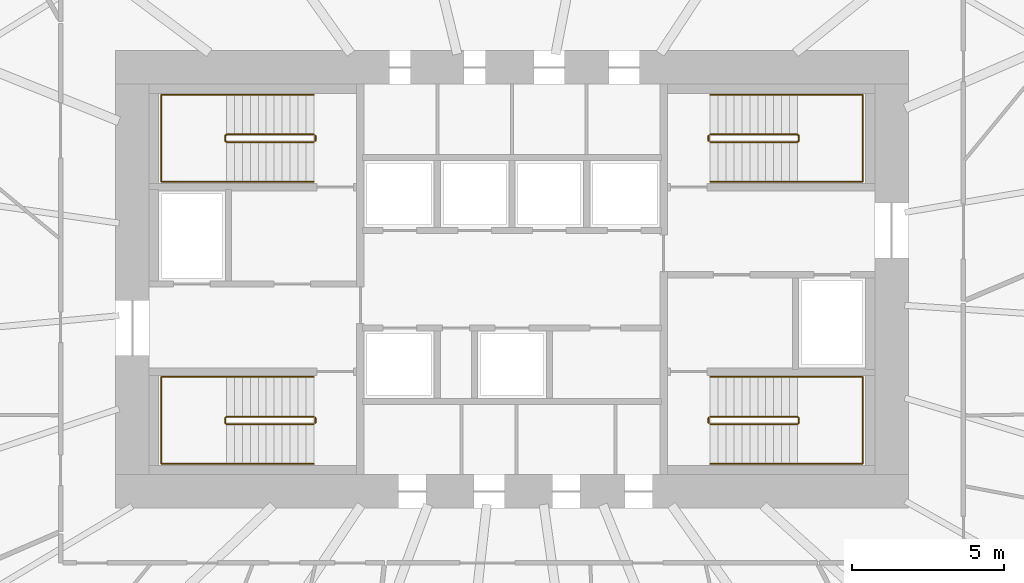
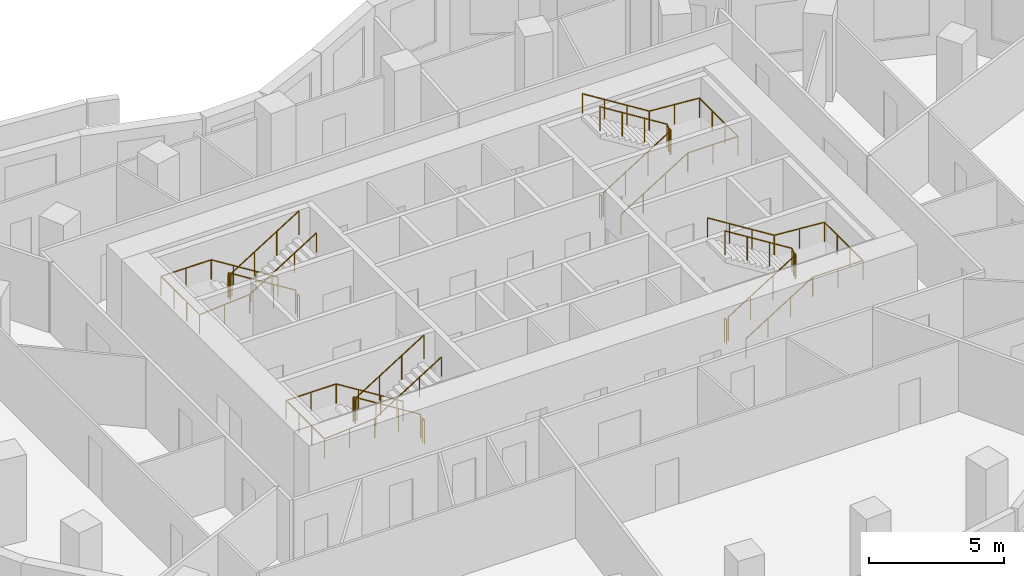
# One storey, part 9 of 9: 12 railings.
"""IFC4 building model written with IfcOpenShell, lengths in metres."""

from ifc_helpers import new_model, si_unit, direction, frame, origin, origin_2d, place, context, subcontext, project, spatial, circle, extrude, material, type_object, element, save


model = new_model("IFC4")

# Units and contexts
model_context = context("Model", 3, precision=1e-05, world=origin(), true_north=direction((0.0, 1.0)))
body_context = subcontext(model_context, "Body", "Model", "MODEL_VIEW")
ifc_project = project(units=[si_unit("LENGTHUNIT", "METRE"), si_unit("AREAUNIT", "SQUARE_METRE"), si_unit("VOLUMEUNIT", "CUBIC_METRE"), si_unit("PLANEANGLEUNIT", "RADIAN"), si_unit("MASSUNIT", "GRAM", prefix="KILO")], contexts=[model_context])

# Site, building, storey
site_placement = place(None, origin())
site = spatial("IfcSite", under=ifc_project, at=site_placement, CompositionType="ELEMENT")
building_placement = place(site_placement, origin())
building = spatial("IfcBuilding", under=site, at=building_placement, Name="Rubra Terraces Tower", CompositionType="ELEMENT")
storey_placement = place(building_placement, frame((0.0, 0.0, 142.199951171875)))
storey = spatial("IfcBuildingStorey", under=building, at=storey_placement, Name="L34", CompositionType="ELEMENT", Elevation=142.199951171875)

# Railings
ifc_material = material(Name="Stainless steel", Category="steel")
railing_type_1 = type_object("IfcRailingType", Name="Core stair guard 1100", PredefinedType="GUARDRAIL", material=ifc_material)
railing_1_placement = place(storey_placement, frame((-6.5, 0.0, 0.16259765625)))
element("IfcRailing", 1, at=railing_1_placement, inside=storey, type_object=railing_type_1, Name="L34 stair S1 guard 1", PredefinedType="GUARDRAIL", context=body_context, shape_type="SweptSolid", body=[
    extrude(circle(Radius=0.02392578125, at=origin_2d()), frame((0.0, 0.0, 1.076171875), z_axis=(-0.848026770018, 0.0, 0.529953391661), x_axis=(0.0, -1.0, 0.0)), (0.0, 0.0, 1.0), 3.37255859375),
    extrude(circle(Radius=0.02392578125, at=origin_2d()), frame((-2.860107421875, 0.0, 2.86328125), z_axis=(-0.705375805398, -0.708833529934, 0.0), x_axis=(0.708833529934, -0.705375805398, 0.0)), (0.0, 0.0, 1.0), 0.070556640625),
    extrude(circle(Radius=0.02392578125, at=origin_2d()), frame((-2.909912109375, -0.050048828125, 2.86328125), z_axis=(0.0, -1.0, 0.0), x_axis=(1.0, 0.0, 0.0)), (0.0, 0.0, 1.0), 0.14990234375),
    extrude(circle(Radius=0.02392578125, at=origin_2d()), frame((-2.909912109375, -0.199951171875, 2.86328125), z_axis=(0.280959487676, -0.282336740067, 0.917250092119), x_axis=(0.708833529934, 0.705375805398, 0.0)), (0.0, 0.0, 1.0), 0.17724609375),
    extrude(circle(Radius=0.02392578125, at=origin_2d()), frame((-2.860107421875, -0.25, 3.02587890625), z_axis=(0.847994237388, 0.0, 0.530005446535), x_axis=(0.0, 1.0, 0.0)), (0.0, 0.0, 1.0), 3.372802734375),
    extrude(circle(Radius=0.02099609375, at=origin_2d()), origin(), (0.0, 0.0, 1.0), 1.052001953125),
    extrude(circle(Radius=0.02099609375, at=origin_2d()), frame((-0.953369140625, 0.0, 0.595703125)), (0.0, 0.0, 1.0), 1.052001953125),
    extrude(circle(Radius=0.02099609375, at=origin_2d()), frame((-1.90673828125, 0.0, 1.191650390625)), (0.0, 0.0, 1.0), 1.052001953125),
    extrude(circle(Radius=0.02099609375, at=origin_2d()), frame((-2.860107421875, 0.0, 1.787353515625)), (0.0, 0.0, 1.0), 1.052001953125),
    extrude(circle(Radius=0.02099609375, at=origin_2d()), frame((-2.909912109375, -0.050048828125, 1.787353515625)), (0.0, 0.0, 1.0), 1.052001953125),
    extrude(circle(Radius=0.02099609375, at=origin_2d()), frame((-2.909912109375, -0.199951171875, 1.787353515625)), (0.0, 0.0, 1.0), 1.052001953125),
    extrude(circle(Radius=0.02099609375, at=origin_2d()), frame((-2.860107421875, -0.25, 1.949951171875)), (0.0, 0.0, 1.0), 1.052001953125),
    extrude(circle(Radius=0.02099609375, at=origin_2d()), frame((-1.90673828125, -0.25, 2.5458984375)), (0.0, 0.0, 1.0), 1.052001953125),
    extrude(circle(Radius=0.02099609375, at=origin_2d()), frame((-0.953369140625, -0.25, 3.1416015625)), (0.0, 0.0, 1.0), 1.052001953125),
    extrude(circle(Radius=0.02099609375, at=origin_2d()), frame((0.0, -0.25, 3.737548828125)), (0.0, 0.0, 1.0), 1.052001953125),
])
railing_2_placement = place(storey_placement, frame((-6.449951171875, -0.050048828125, 0.0)))
element("IfcRailing", 2, at=railing_2_placement, inside=storey, type_object=railing_type_1, Name="L34 stair S1 guard 2", PredefinedType="GUARDRAIL", context=body_context, shape_type="SweptSolid", body=[
    extrude(circle(Radius=0.02392578125, at=origin_2d()), frame((0.0, 0.0, 1.076171875), z_axis=(0.0, -1.0, 0.0), x_axis=(1.0, 0.0, 0.0)), (0.0, 0.0, 1.0), 0.14990234375),
    extrude(circle(Radius=0.02099609375, at=origin_2d()), origin(), (0.0, 0.0, 1.0), 1.052001953125),
    extrude(circle(Radius=0.02099609375, at=origin_2d()), frame((0.0, -0.14990234375, 0.0)), (0.0, 0.0, 1.0), 1.052001953125),
])
railing_3_placement = place(storey_placement, frame((-6.5, 9.25, 0.16259765625)))
element("IfcRailing", 3, at=railing_3_placement, inside=storey, type_object=railing_type_1, Name="L34 stair S2 guard 1", PredefinedType="GUARDRAIL", context=body_context, shape_type="SweptSolid", body=[
    extrude(circle(Radius=0.02392578125, at=origin_2d()), frame((0.0, 0.0, 1.076171875), z_axis=(-0.848026770018, 0.0, 0.529953391661), x_axis=(0.0, -1.0, 0.0)), (0.0, 0.0, 1.0), 3.37255859375),
    extrude(circle(Radius=0.02392578125, at=origin_2d()), frame((-2.860107421875, 0.0, 2.86328125), z_axis=(-0.705375805398, -0.708833529934, 0.0), x_axis=(0.708833529934, -0.705375805398, 0.0)), (0.0, 0.0, 1.0), 0.070556640625),
    extrude(circle(Radius=0.02392578125, at=origin_2d()), frame((-2.909912109375, -0.050048828125, 2.86328125), z_axis=(0.0, -1.0, 0.0), x_axis=(1.0, 0.0, 0.0)), (0.0, 0.0, 1.0), 0.14990234375),
    extrude(circle(Radius=0.02392578125, at=origin_2d()), frame((-2.909912109375, -0.199951171875, 2.86328125), z_axis=(0.280959487676, -0.282336740067, 0.917250092119), x_axis=(0.708833529934, 0.705375805398, 0.0)), (0.0, 0.0, 1.0), 0.17724609375),
    extrude(circle(Radius=0.02392578125, at=origin_2d()), frame((-2.860107421875, -0.25, 3.02587890625), z_axis=(0.847994237388, 0.0, 0.530005446535), x_axis=(0.0, 1.0, 0.0)), (0.0, 0.0, 1.0), 3.372802734375),
    extrude(circle(Radius=0.02099609375, at=origin_2d()), origin(), (0.0, 0.0, 1.0), 1.052001953125),
    extrude(circle(Radius=0.02099609375, at=origin_2d()), frame((-0.953369140625, 0.0, 0.595703125)), (0.0, 0.0, 1.0), 1.052001953125),
    extrude(circle(Radius=0.02099609375, at=origin_2d()), frame((-1.90673828125, 0.0, 1.191650390625)), (0.0, 0.0, 1.0), 1.052001953125),
    extrude(circle(Radius=0.02099609375, at=origin_2d()), frame((-2.860107421875, 0.0, 1.787353515625)), (0.0, 0.0, 1.0), 1.052001953125),
    extrude(circle(Radius=0.02099609375, at=origin_2d()), frame((-2.909912109375, -0.050048828125, 1.787353515625)), (0.0, 0.0, 1.0), 1.052001953125),
    extrude(circle(Radius=0.02099609375, at=origin_2d()), frame((-2.909912109375, -0.199951171875, 1.787353515625)), (0.0, 0.0, 1.0), 1.052001953125),
    extrude(circle(Radius=0.02099609375, at=origin_2d()), frame((-2.860107421875, -0.25, 1.949951171875)), (0.0, 0.0, 1.0), 1.052001953125),
    extrude(circle(Radius=0.02099609375, at=origin_2d()), frame((-1.90673828125, -0.25, 2.5458984375)), (0.0, 0.0, 1.0), 1.052001953125),
    extrude(circle(Radius=0.02099609375, at=origin_2d()), frame((-0.953369140625, -0.25, 3.1416015625)), (0.0, 0.0, 1.0), 1.052001953125),
    extrude(circle(Radius=0.02099609375, at=origin_2d()), frame((0.0, -0.25, 3.737548828125)), (0.0, 0.0, 1.0), 1.052001953125),
])
railing_4_placement = place(storey_placement, frame((-6.449951171875, 9.199951171875, 0.0)))
element("IfcRailing", 4, at=railing_4_placement, inside=storey, type_object=railing_type_1, Name="L34 stair S2 guard 2", PredefinedType="GUARDRAIL", context=body_context, shape_type="SweptSolid", body=[
    extrude(circle(Radius=0.02392578125, at=origin_2d()), frame((0.0, 0.0, 1.076171875), z_axis=(0.0, -1.0, 0.0), x_axis=(1.0, 0.0, 0.0)), (0.0, 0.0, 1.0), 0.14990234375),
    extrude(circle(Radius=0.02099609375, at=origin_2d()), origin(), (0.0, 0.0, 1.0), 1.052001953125),
    extrude(circle(Radius=0.02099609375, at=origin_2d()), frame((0.0, -0.14990234375, 0.0)), (0.0, 0.0, 1.0), 1.052001953125),
])
railing_5_placement = place(storey_placement, frame((6.5, 9.0, 0.16259765625)))
element("IfcRailing", 5, at=railing_5_placement, inside=storey, type_object=railing_type_1, Name="L34 stair S3 guard 1", PredefinedType="GUARDRAIL", context=body_context, shape_type="SweptSolid", body=[
    extrude(circle(Radius=0.02392578125, at=origin_2d()), frame((0.0, 0.0, 1.076171875), z_axis=(0.848026770018, 0.0, 0.529953391661), x_axis=(0.0, 1.0, 0.0)), (0.0, 0.0, 1.0), 3.37255859375),
    extrude(circle(Radius=0.02392578125, at=origin_2d()), frame((2.860107421875, 0.0, 2.86328125), z_axis=(0.705375805398, 0.708833529934, 0.0), x_axis=(-0.708833529934, 0.705375805398, 0.0)), (0.0, 0.0, 1.0), 0.070556640625),
    extrude(circle(Radius=0.02392578125, at=origin_2d()), frame((2.909912109375, 0.050048828125, 2.86328125), z_axis=(0.0, 1.0, 0.0), x_axis=(-1.0, 0.0, 0.0)), (0.0, 0.0, 1.0), 0.14990234375),
    extrude(circle(Radius=0.02392578125, at=origin_2d()), frame((2.909912109375, 0.199951171875, 2.86328125), z_axis=(-0.280959487676, 0.282336740067, 0.917250092119), x_axis=(-0.708833529934, -0.705375805398, 0.0)), (0.0, 0.0, 1.0), 0.17724609375),
    extrude(circle(Radius=0.02392578125, at=origin_2d()), frame((2.860107421875, 0.25, 3.02587890625), z_axis=(-0.847994237388, 0.0, 0.530005446535), x_axis=(0.0, -1.0, 0.0)), (0.0, 0.0, 1.0), 3.372802734375),
    extrude(circle(Radius=0.02099609375, at=origin_2d()), origin(), (0.0, 0.0, 1.0), 1.052001953125),
    extrude(circle(Radius=0.02099609375, at=origin_2d()), frame((0.953369140625, 0.0, 0.595703125)), (0.0, 0.0, 1.0), 1.052001953125),
    extrude(circle(Radius=0.02099609375, at=origin_2d()), frame((1.90673828125, 0.0, 1.191650390625)), (0.0, 0.0, 1.0), 1.052001953125),
    extrude(circle(Radius=0.02099609375, at=origin_2d()), frame((2.860107421875, 0.0, 1.787353515625)), (0.0, 0.0, 1.0), 1.052001953125),
    extrude(circle(Radius=0.02099609375, at=origin_2d()), frame((2.909912109375, 0.050048828125, 1.787353515625)), (0.0, 0.0, 1.0), 1.052001953125),
    extrude(circle(Radius=0.02099609375, at=origin_2d()), frame((2.909912109375, 0.199951171875, 1.787353515625)), (0.0, 0.0, 1.0), 1.052001953125),
    extrude(circle(Radius=0.02099609375, at=origin_2d()), frame((2.860107421875, 0.25, 1.949951171875)), (0.0, 0.0, 1.0), 1.052001953125),
    extrude(circle(Radius=0.02099609375, at=origin_2d()), frame((1.90673828125, 0.25, 2.5458984375)), (0.0, 0.0, 1.0), 1.052001953125),
    extrude(circle(Radius=0.02099609375, at=origin_2d()), frame((0.953369140625, 0.25, 3.1416015625)), (0.0, 0.0, 1.0), 1.052001953125),
    extrude(circle(Radius=0.02099609375, at=origin_2d()), frame((0.0, 0.25, 3.737548828125)), (0.0, 0.0, 1.0), 1.052001953125),
])
railing_6_placement = place(storey_placement, frame((6.449951171875, 9.050048828125, 0.0)))
element("IfcRailing", 6, at=railing_6_placement, inside=storey, type_object=railing_type_1, Name="L34 stair S3 guard 2", PredefinedType="GUARDRAIL", context=body_context, shape_type="SweptSolid", body=[
    extrude(circle(Radius=0.02392578125, at=origin_2d()), frame((0.0, 0.0, 1.076171875), z_axis=(0.0, 1.0, 0.0), x_axis=(-1.0, 0.0, 0.0)), (0.0, 0.0, 1.0), 0.14990234375),
    extrude(circle(Radius=0.02099609375, at=origin_2d()), origin(), (0.0, 0.0, 1.0), 1.052001953125),
    extrude(circle(Radius=0.02099609375, at=origin_2d()), frame((0.0, 0.14990234375, 0.0)), (0.0, 0.0, 1.0), 1.052001953125),
])
railing_7_placement = place(storey_placement, frame((6.5, -0.25, 0.16259765625)))
element("IfcRailing", 7, at=railing_7_placement, inside=storey, type_object=railing_type_1, Name="L34 stair S4 guard 1", PredefinedType="GUARDRAIL", context=body_context, shape_type="SweptSolid", body=[
    extrude(circle(Radius=0.02392578125, at=origin_2d()), frame((0.0, 0.0, 1.076171875), z_axis=(0.848026770018, 0.0, 0.529953391661), x_axis=(0.0, 1.0, 0.0)), (0.0, 0.0, 1.0), 3.37255859375),
    extrude(circle(Radius=0.02392578125, at=origin_2d()), frame((2.860107421875, 0.0, 2.86328125), z_axis=(0.705375805398, 0.708833529934, 0.0), x_axis=(-0.708833529934, 0.705375805398, 0.0)), (0.0, 0.0, 1.0), 0.070556640625),
    extrude(circle(Radius=0.02392578125, at=origin_2d()), frame((2.909912109375, 0.050048828125, 2.86328125), z_axis=(0.0, 1.0, 0.0), x_axis=(-1.0, 0.0, 0.0)), (0.0, 0.0, 1.0), 0.14990234375),
    extrude(circle(Radius=0.02392578125, at=origin_2d()), frame((2.909912109375, 0.199951171875, 2.86328125), z_axis=(-0.280959487676, 0.282336740067, 0.917250092119), x_axis=(-0.708833529934, -0.705375805398, 0.0)), (0.0, 0.0, 1.0), 0.17724609375),
    extrude(circle(Radius=0.02392578125, at=origin_2d()), frame((2.860107421875, 0.25, 3.02587890625), z_axis=(-0.847994237388, 0.0, 0.530005446535), x_axis=(0.0, -1.0, 0.0)), (0.0, 0.0, 1.0), 3.372802734375),
    extrude(circle(Radius=0.02099609375, at=origin_2d()), origin(), (0.0, 0.0, 1.0), 1.052001953125),
    extrude(circle(Radius=0.02099609375, at=origin_2d()), frame((0.953369140625, 0.0, 0.595703125)), (0.0, 0.0, 1.0), 1.052001953125),
    extrude(circle(Radius=0.02099609375, at=origin_2d()), frame((1.90673828125, 0.0, 1.191650390625)), (0.0, 0.0, 1.0), 1.052001953125),
    extrude(circle(Radius=0.02099609375, at=origin_2d()), frame((2.860107421875, 0.0, 1.787353515625)), (0.0, 0.0, 1.0), 1.052001953125),
    extrude(circle(Radius=0.02099609375, at=origin_2d()), frame((2.909912109375, 0.050048828125, 1.787353515625)), (0.0, 0.0, 1.0), 1.052001953125),
    extrude(circle(Radius=0.02099609375, at=origin_2d()), frame((2.909912109375, 0.199951171875, 1.787353515625)), (0.0, 0.0, 1.0), 1.052001953125),
    extrude(circle(Radius=0.02099609375, at=origin_2d()), frame((2.860107421875, 0.25, 1.949951171875)), (0.0, 0.0, 1.0), 1.052001953125),
    extrude(circle(Radius=0.02099609375, at=origin_2d()), frame((1.90673828125, 0.25, 2.5458984375)), (0.0, 0.0, 1.0), 1.052001953125),
    extrude(circle(Radius=0.02099609375, at=origin_2d()), frame((0.953369140625, 0.25, 3.1416015625)), (0.0, 0.0, 1.0), 1.052001953125),
    extrude(circle(Radius=0.02099609375, at=origin_2d()), frame((0.0, 0.25, 3.737548828125)), (0.0, 0.0, 1.0), 1.052001953125),
])
railing_8_placement = place(storey_placement, frame((6.449951171875, -0.199951171875, 0.0)))
element("IfcRailing", 8, at=railing_8_placement, inside=storey, type_object=railing_type_1, Name="L34 stair S4 guard 2", PredefinedType="GUARDRAIL", context=body_context, shape_type="SweptSolid", body=[
    extrude(circle(Radius=0.02392578125, at=origin_2d()), frame((0.0, 0.0, 1.076171875), z_axis=(0.0, 1.0, 0.0), x_axis=(-1.0, 0.0, 0.0)), (0.0, 0.0, 1.0), 0.14990234375),
    extrude(circle(Radius=0.02099609375, at=origin_2d()), origin(), (0.0, 0.0, 1.0), 1.052001953125),
    extrude(circle(Radius=0.02099609375, at=origin_2d()), frame((0.0, 0.14990234375, 0.0)), (0.0, 0.0, 1.0), 1.052001953125),
])
railing_type_2 = type_object("IfcRailingType", Name="Core stair handrail 900", PredefinedType="HANDRAIL", material=ifc_material)
railing_9_placement = place(storey_placement, frame((-6.5, 1.300048828125, 0.16259765625)))
element("IfcRailing", 9, at=railing_9_placement, inside=storey, type_object=railing_type_2, Name="L34 stair S1 handrail 1", PredefinedType="HANDRAIL", context=body_context, shape_type="SweptSolid", body=[
    extrude(circle(Radius=0.02392578125, at=origin_2d()), frame((0.0, 0.0, 0.8759765625), z_axis=(-0.848026770018, 0.0, 0.529953391661), x_axis=(0.0, -1.0, 0.0)), (0.0, 0.0, 1.0), 3.37255859375),
    extrude(circle(Radius=0.02392578125, at=origin_2d()), frame((-2.860107421875, 0.0, 2.6630859375), z_axis=(-1.0, 0.0, 0.0), x_axis=(0.0, -1.0, 0.0)), (0.0, 0.0, 1.0), 2.139892578125),
    extrude(circle(Radius=0.02392578125, at=origin_2d()), frame((-5.0, 0.0, 2.6630859375), z_axis=(0.0, -1.0, 0.0), x_axis=(1.0, 0.0, 0.0)), (0.0, 0.0, 1.0), 2.85009765625),
    extrude(circle(Radius=0.02392578125, at=origin_2d()), frame((-5.0, -2.85009765625, 2.6630859375), z_axis=(0.997125654253, 0.0, 0.075765623016), x_axis=(0.0, 1.0, 0.0)), (0.0, 0.0, 1.0), 2.14599609375),
    extrude(circle(Radius=0.02392578125, at=origin_2d()), frame((-2.860107421875, -2.85009765625, 2.82568359375), z_axis=(0.847994237388, 0.0, 0.530005446535), x_axis=(0.0, 1.0, 0.0)), (0.0, 0.0, 1.0), 3.372802734375),
    extrude(circle(Radius=0.02099609375, at=origin_2d()), origin(), (0.0, 0.0, 1.0), 0.851806640625),
    extrude(circle(Radius=0.02099609375, at=origin_2d()), frame((-0.953369140625, 0.0, 0.595703125)), (0.0, 0.0, 1.0), 0.851806640625),
    extrude(circle(Radius=0.02099609375, at=origin_2d()), frame((-1.90673828125, 0.0, 1.191650390625)), (0.0, 0.0, 1.0), 0.851806640625),
    extrude(circle(Radius=0.02099609375, at=origin_2d()), frame((-2.860107421875, 0.0, 1.787353515625)), (0.0, 0.0, 1.0), 0.851806640625),
    extrude(circle(Radius=0.02099609375, at=origin_2d()), frame((-3.93017578125, 0.0, 1.787353515625)), (0.0, 0.0, 1.0), 0.851806640625),
    extrude(circle(Radius=0.02099609375, at=origin_2d()), frame((-5.0, 0.0, 1.787353515625)), (0.0, 0.0, 1.0), 0.851806640625),
    extrude(circle(Radius=0.02099609375, at=origin_2d()), frame((-5.0, -0.949951171875, 1.787353515625)), (0.0, 0.0, 1.0), 0.851806640625),
    extrude(circle(Radius=0.02099609375, at=origin_2d()), frame((-5.0, -1.900146484375, 1.787353515625)), (0.0, 0.0, 1.0), 0.851806640625),
    extrude(circle(Radius=0.02099609375, at=origin_2d()), frame((-5.0, -2.85009765625, 1.787353515625)), (0.0, 0.0, 1.0), 0.851806640625),
    extrude(circle(Radius=0.02099609375, at=origin_2d()), frame((-3.93017578125, -2.85009765625, 1.86865234375)), (0.0, 0.0, 1.0), 0.851806640625),
    extrude(circle(Radius=0.02099609375, at=origin_2d()), frame((-2.860107421875, -2.85009765625, 1.949951171875)), (0.0, 0.0, 1.0), 0.851806640625),
    extrude(circle(Radius=0.02099609375, at=origin_2d()), frame((-1.90673828125, -2.85009765625, 2.5458984375)), (0.0, 0.0, 1.0), 0.851806640625),
    extrude(circle(Radius=0.02099609375, at=origin_2d()), frame((-0.953369140625, -2.85009765625, 3.1416015625)), (0.0, 0.0, 1.0), 0.851806640625),
    extrude(circle(Radius=0.02099609375, at=origin_2d()), frame((0.0, -2.85009765625, 3.737548828125)), (0.0, 0.0, 1.0), 0.851806640625),
])
railing_10_placement = place(storey_placement, frame((-6.5, 10.550048828125, 0.16259765625)))
element("IfcRailing", 10, at=railing_10_placement, inside=storey, type_object=railing_type_2, Name="L34 stair S2 handrail 1", PredefinedType="HANDRAIL", context=body_context, shape_type="SweptSolid", body=[
    extrude(circle(Radius=0.02392578125, at=origin_2d()), frame((0.0, 0.0, 0.8759765625), z_axis=(-0.848026770018, 0.0, 0.529953391661), x_axis=(0.0, -1.0, 0.0)), (0.0, 0.0, 1.0), 3.37255859375),
    extrude(circle(Radius=0.02392578125, at=origin_2d()), frame((-2.860107421875, 0.0, 2.6630859375), z_axis=(-1.0, 0.0, 0.0), x_axis=(0.0, -1.0, 0.0)), (0.0, 0.0, 1.0), 2.139892578125),
    extrude(circle(Radius=0.02392578125, at=origin_2d()), frame((-5.0, 0.0, 2.6630859375), z_axis=(0.0, -1.0, 0.0), x_axis=(1.0, 0.0, 0.0)), (0.0, 0.0, 1.0), 2.85009765625),
    extrude(circle(Radius=0.02392578125, at=origin_2d()), frame((-5.0, -2.85009765625, 2.6630859375), z_axis=(0.997125654253, 0.0, 0.075765623016), x_axis=(0.0, 1.0, 0.0)), (0.0, 0.0, 1.0), 2.14599609375),
    extrude(circle(Radius=0.02392578125, at=origin_2d()), frame((-2.860107421875, -2.85009765625, 2.82568359375), z_axis=(0.847994237388, 0.0, 0.530005446535), x_axis=(0.0, 1.0, 0.0)), (0.0, 0.0, 1.0), 3.372802734375),
    extrude(circle(Radius=0.02099609375, at=origin_2d()), origin(), (0.0, 0.0, 1.0), 0.851806640625),
    extrude(circle(Radius=0.02099609375, at=origin_2d()), frame((-0.953369140625, 0.0, 0.595703125)), (0.0, 0.0, 1.0), 0.851806640625),
    extrude(circle(Radius=0.02099609375, at=origin_2d()), frame((-1.90673828125, 0.0, 1.191650390625)), (0.0, 0.0, 1.0), 0.851806640625),
    extrude(circle(Radius=0.02099609375, at=origin_2d()), frame((-2.860107421875, 0.0, 1.787353515625)), (0.0, 0.0, 1.0), 0.851806640625),
    extrude(circle(Radius=0.02099609375, at=origin_2d()), frame((-3.93017578125, 0.0, 1.787353515625)), (0.0, 0.0, 1.0), 0.851806640625),
    extrude(circle(Radius=0.02099609375, at=origin_2d()), frame((-5.0, 0.0, 1.787353515625)), (0.0, 0.0, 1.0), 0.851806640625),
    extrude(circle(Radius=0.02099609375, at=origin_2d()), frame((-5.0, -0.949951171875, 1.787353515625)), (0.0, 0.0, 1.0), 0.851806640625),
    extrude(circle(Radius=0.02099609375, at=origin_2d()), frame((-5.0, -1.900146484375, 1.787353515625)), (0.0, 0.0, 1.0), 0.851806640625),
    extrude(circle(Radius=0.02099609375, at=origin_2d()), frame((-5.0, -2.85009765625, 1.787353515625)), (0.0, 0.0, 1.0), 0.851806640625),
    extrude(circle(Radius=0.02099609375, at=origin_2d()), frame((-3.93017578125, -2.85009765625, 1.86865234375)), (0.0, 0.0, 1.0), 0.851806640625),
    extrude(circle(Radius=0.02099609375, at=origin_2d()), frame((-2.860107421875, -2.85009765625, 1.949951171875)), (0.0, 0.0, 1.0), 0.851806640625),
    extrude(circle(Radius=0.02099609375, at=origin_2d()), frame((-1.90673828125, -2.85009765625, 2.5458984375)), (0.0, 0.0, 1.0), 0.851806640625),
    extrude(circle(Radius=0.02099609375, at=origin_2d()), frame((-0.953369140625, -2.85009765625, 3.1416015625)), (0.0, 0.0, 1.0), 0.851806640625),
    extrude(circle(Radius=0.02099609375, at=origin_2d()), frame((0.0, -2.85009765625, 3.737548828125)), (0.0, 0.0, 1.0), 0.851806640625),
])
railing_11_placement = place(storey_placement, frame((6.5, 7.699951171875, 0.16259765625)))
element("IfcRailing", 11, at=railing_11_placement, inside=storey, type_object=railing_type_2, Name="L34 stair S3 handrail 1", PredefinedType="HANDRAIL", context=body_context, shape_type="SweptSolid", body=[
    extrude(circle(Radius=0.02392578125, at=origin_2d()), frame((0.0, 0.0, 0.8759765625), z_axis=(0.848026770018, 0.0, 0.529953391661), x_axis=(0.0, 1.0, 0.0)), (0.0, 0.0, 1.0), 3.37255859375),
    extrude(circle(Radius=0.02392578125, at=origin_2d()), frame((2.860107421875, 0.0, 2.6630859375), z_axis=(1.0, 0.0, 0.0), x_axis=(0.0, 1.0, 0.0)), (0.0, 0.0, 1.0), 2.139892578125),
    extrude(circle(Radius=0.02392578125, at=origin_2d()), frame((5.0, 0.0, 2.6630859375), z_axis=(0.0, 1.0, 0.0), x_axis=(-1.0, 0.0, 0.0)), (0.0, 0.0, 1.0), 2.85009765625),
    extrude(circle(Radius=0.02392578125, at=origin_2d()), frame((5.0, 2.85009765625, 2.6630859375), z_axis=(-0.997125654253, 0.0, 0.075765623016), x_axis=(0.0, -1.0, 0.0)), (0.0, 0.0, 1.0), 2.14599609375),
    extrude(circle(Radius=0.02392578125, at=origin_2d()), frame((2.860107421875, 2.85009765625, 2.82568359375), z_axis=(-0.847994237388, 0.0, 0.530005446535), x_axis=(0.0, -1.0, 0.0)), (0.0, 0.0, 1.0), 3.372802734375),
    extrude(circle(Radius=0.02099609375, at=origin_2d()), origin(), (0.0, 0.0, 1.0), 0.851806640625),
    extrude(circle(Radius=0.02099609375, at=origin_2d()), frame((0.953369140625, 0.0, 0.595703125)), (0.0, 0.0, 1.0), 0.851806640625),
    extrude(circle(Radius=0.02099609375, at=origin_2d()), frame((1.90673828125, 0.0, 1.191650390625)), (0.0, 0.0, 1.0), 0.851806640625),
    extrude(circle(Radius=0.02099609375, at=origin_2d()), frame((2.860107421875, 0.0, 1.787353515625)), (0.0, 0.0, 1.0), 0.851806640625),
    extrude(circle(Radius=0.02099609375, at=origin_2d()), frame((3.93017578125, 0.0, 1.787353515625)), (0.0, 0.0, 1.0), 0.851806640625),
    extrude(circle(Radius=0.02099609375, at=origin_2d()), frame((5.0, 0.0, 1.787353515625)), (0.0, 0.0, 1.0), 0.851806640625),
    extrude(circle(Radius=0.02099609375, at=origin_2d()), frame((5.0, 0.949951171875, 1.787353515625)), (0.0, 0.0, 1.0), 0.851806640625),
    extrude(circle(Radius=0.02099609375, at=origin_2d()), frame((5.0, 1.900146484375, 1.787353515625)), (0.0, 0.0, 1.0), 0.851806640625),
    extrude(circle(Radius=0.02099609375, at=origin_2d()), frame((5.0, 2.85009765625, 1.787353515625)), (0.0, 0.0, 1.0), 0.851806640625),
    extrude(circle(Radius=0.02099609375, at=origin_2d()), frame((3.93017578125, 2.85009765625, 1.86865234375)), (0.0, 0.0, 1.0), 0.851806640625),
    extrude(circle(Radius=0.02099609375, at=origin_2d()), frame((2.860107421875, 2.85009765625, 1.949951171875)), (0.0, 0.0, 1.0), 0.851806640625),
    extrude(circle(Radius=0.02099609375, at=origin_2d()), frame((1.90673828125, 2.85009765625, 2.5458984375)), (0.0, 0.0, 1.0), 0.851806640625),
    extrude(circle(Radius=0.02099609375, at=origin_2d()), frame((0.953369140625, 2.85009765625, 3.1416015625)), (0.0, 0.0, 1.0), 0.851806640625),
    extrude(circle(Radius=0.02099609375, at=origin_2d()), frame((0.0, 2.85009765625, 3.737548828125)), (0.0, 0.0, 1.0), 0.851806640625),
])
railing_12_placement = place(storey_placement, frame((6.5, -1.550048828125, 0.16259765625)))
element("IfcRailing", 12, at=railing_12_placement, inside=storey, type_object=railing_type_2, Name="L34 stair S4 handrail 1", PredefinedType="HANDRAIL", context=body_context, shape_type="SweptSolid", body=[
    extrude(circle(Radius=0.02392578125, at=origin_2d()), frame((0.0, 0.0, 0.8759765625), z_axis=(0.848026770018, 0.0, 0.529953391661), x_axis=(0.0, 1.0, 0.0)), (0.0, 0.0, 1.0), 3.37255859375),
    extrude(circle(Radius=0.02392578125, at=origin_2d()), frame((2.860107421875, 0.0, 2.6630859375), z_axis=(1.0, 0.0, 0.0), x_axis=(0.0, 1.0, 0.0)), (0.0, 0.0, 1.0), 2.139892578125),
    extrude(circle(Radius=0.02392578125, at=origin_2d()), frame((5.0, 0.0, 2.6630859375), z_axis=(0.0, 1.0, 0.0), x_axis=(-1.0, 0.0, 0.0)), (0.0, 0.0, 1.0), 2.85009765625),
    extrude(circle(Radius=0.02392578125, at=origin_2d()), frame((5.0, 2.85009765625, 2.6630859375), z_axis=(-0.997125654253, 0.0, 0.075765623016), x_axis=(0.0, -1.0, 0.0)), (0.0, 0.0, 1.0), 2.14599609375),
    extrude(circle(Radius=0.02392578125, at=origin_2d()), frame((2.860107421875, 2.85009765625, 2.82568359375), z_axis=(-0.847994237388, 0.0, 0.530005446535), x_axis=(0.0, -1.0, 0.0)), (0.0, 0.0, 1.0), 3.372802734375),
    extrude(circle(Radius=0.02099609375, at=origin_2d()), origin(), (0.0, 0.0, 1.0), 0.851806640625),
    extrude(circle(Radius=0.02099609375, at=origin_2d()), frame((0.953369140625, 0.0, 0.595703125)), (0.0, 0.0, 1.0), 0.851806640625),
    extrude(circle(Radius=0.02099609375, at=origin_2d()), frame((1.90673828125, 0.0, 1.191650390625)), (0.0, 0.0, 1.0), 0.851806640625),
    extrude(circle(Radius=0.02099609375, at=origin_2d()), frame((2.860107421875, 0.0, 1.787353515625)), (0.0, 0.0, 1.0), 0.851806640625),
    extrude(circle(Radius=0.02099609375, at=origin_2d()), frame((3.93017578125, 0.0, 1.787353515625)), (0.0, 0.0, 1.0), 0.851806640625),
    extrude(circle(Radius=0.02099609375, at=origin_2d()), frame((5.0, 0.0, 1.787353515625)), (0.0, 0.0, 1.0), 0.851806640625),
    extrude(circle(Radius=0.02099609375, at=origin_2d()), frame((5.0, 0.949951171875, 1.787353515625)), (0.0, 0.0, 1.0), 0.851806640625),
    extrude(circle(Radius=0.02099609375, at=origin_2d()), frame((5.0, 1.900146484375, 1.787353515625)), (0.0, 0.0, 1.0), 0.851806640625),
    extrude(circle(Radius=0.02099609375, at=origin_2d()), frame((5.0, 2.85009765625, 1.787353515625)), (0.0, 0.0, 1.0), 0.851806640625),
    extrude(circle(Radius=0.02099609375, at=origin_2d()), frame((3.93017578125, 2.85009765625, 1.86865234375)), (0.0, 0.0, 1.0), 0.851806640625),
    extrude(circle(Radius=0.02099609375, at=origin_2d()), frame((2.860107421875, 2.85009765625, 1.949951171875)), (0.0, 0.0, 1.0), 0.851806640625),
    extrude(circle(Radius=0.02099609375, at=origin_2d()), frame((1.90673828125, 2.85009765625, 2.5458984375)), (0.0, 0.0, 1.0), 0.851806640625),
    extrude(circle(Radius=0.02099609375, at=origin_2d()), frame((0.953369140625, 2.85009765625, 3.1416015625)), (0.0, 0.0, 1.0), 0.851806640625),
    extrude(circle(Radius=0.02099609375, at=origin_2d()), frame((0.0, 2.85009765625, 3.737548828125)), (0.0, 0.0, 1.0), 0.851806640625),
])

save(model, "model.ifc")
